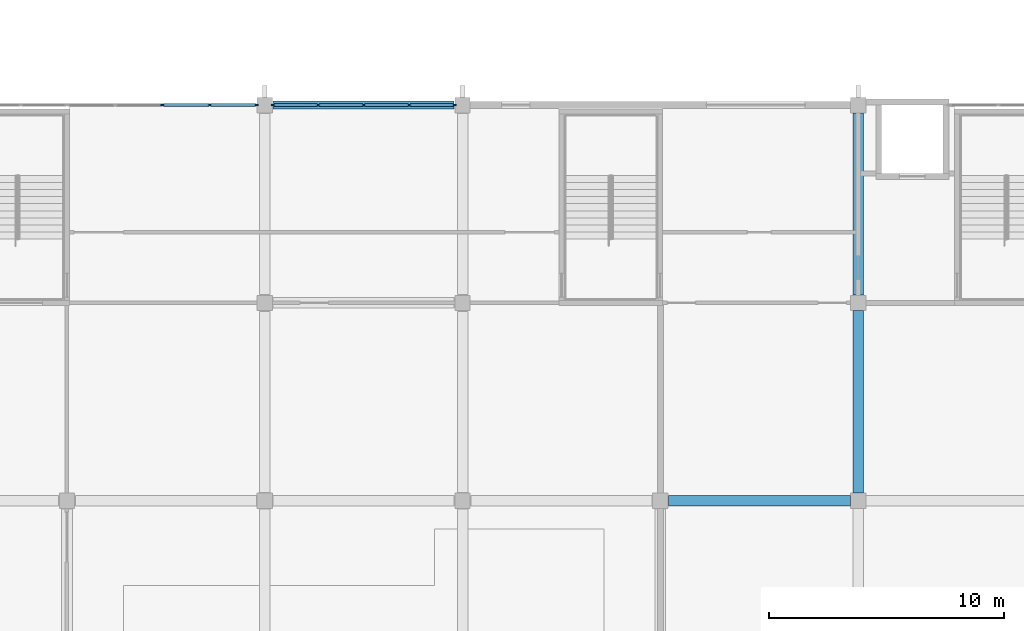
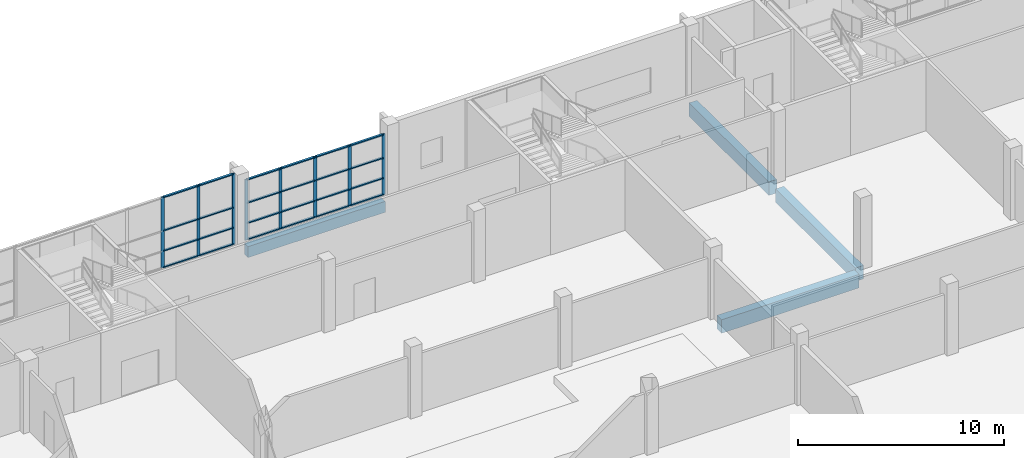
# One storey, part 5 of 64: 32 members, 4 beams, 2 elements without a shape of their own.
"""IFC4 building model written with IfcOpenShell, lengths in metres."""

from ifc_helpers import new_model, si_unit, direction, frame, origin, origin_2d, place, context, subcontext, project, spatial, rectangle, extrude, material, layer, layer_set, material_profile, profile_set, type_object, element, aggregate, save


model = new_model("IFC4")

# Units and contexts
model_context = context("Model", 3, precision=1e-05, world=origin(), true_north=direction((0.0, 1.0)))
body_context = subcontext(model_context, "Body", "Model", "MODEL_VIEW")
ifc_project = project(units=[si_unit("LENGTHUNIT", "METRE"), si_unit("AREAUNIT", "SQUARE_METRE"), si_unit("VOLUMEUNIT", "CUBIC_METRE"), si_unit("PLANEANGLEUNIT", "RADIAN"), si_unit("MASSUNIT", "GRAM", prefix="KILO")], contexts=[model_context])

# Site, building, storey
site_placement = place(None, origin())
site = spatial("IfcSite", under=ifc_project, at=site_placement, CompositionType="ELEMENT")
building_placement = place(site_placement, origin())
building = spatial("IfcBuilding", under=site, at=building_placement, Name="Rulbaag Community and Learning Centre", CompositionType="ELEMENT")
storey_placement = place(building_placement, frame((0.0, 0.0, 5.39990234375)))
storey = spatial("IfcBuildingStorey", under=building, at=storey_placement, Name="L01", CompositionType="ELEMENT", Elevation=5.39990234375)

# Beams
ifc_material_1 = material(Name="Concrete M40", Category="concrete")
ifc_material_profile_1 = material_profile(ifc_material_1, rectangle(XDim=0.449951171875, YDim=0.800048828125, at=origin_2d()), Name="RB450x800")
ifc_profile_set_1 = profile_set([ifc_material_profile_1], Name="Concrete M40")
beam_type_1 = type_object("IfcBeamType", Name="B21 Library floor beam 450x800 Concrete M40", PredefinedType="BEAM", material=ifc_profile_set_1)
beam_1_placement = place(storey_placement, frame((117.955078125, 33.60009765625, -0.699951171875), z_axis=(1.0, 0.0, 0.0), x_axis=(0.0, 1.0, 0.0)))
element("IfcBeam", 1, at=beam_1_placement, inside=storey, type_object=beam_type_1, Name="BM-L01-15E-16E", PredefinedType="BEAM", context=body_context, shape_type="SweptSolid", body=[
    extrude(rectangle(XDim=0.449951171875, YDim=0.800048828125, at=origin_2d()), origin(), (0.0, 0.0, 1.0), 7.71484375),
])
for number, where, z_axis, x_axis, name in (
    (2, (126.0, 33.929931640625, -0.699951171875), (0.0, 1.0, 0.0), (-1.0, 0.0, 0.0), "BM-L01-16E-16F"),
    (3, (126.0, 42.330078125, -0.699951171875), (0.0, 1.0, 0.0), (-1.0, 0.0, 0.0), "BM-L01-16F-16G"),
):
    element("IfcBeam", number, at=place(storey_placement, frame(where, z_axis=z_axis, x_axis=x_axis)), inside=storey, type_object=beam_type_1, Name=name, PredefinedType="BEAM", context=body_context, shape_type="SweptSolid", body=[
        extrude(rectangle(XDim=0.449951171875, YDim=0.800048828125, at=origin_2d()), origin(), (0.0, 0.0, 1.0), 7.739990234375),
    ])
ifc_material_profile_2 = material_profile(ifc_material_1, rectangle(XDim=0.35009765625, YDim=0.64990234375, at=origin_2d()), Name="RB350x650")
ifc_profile_set_2 = profile_set([ifc_material_profile_2], Name="Concrete M40")
beam_type_2 = type_object("IfcBeamType", Name="B8 Hall wing edge beam 350x650 Concrete M40", PredefinedType="BEAM", material=ifc_profile_set_2)
beam_2_placement = place(storey_placement, frame((101.155029296875, 50.39990234375, -0.625), z_axis=(1.0, 0.0, 0.0), x_axis=(0.0, 1.0, 0.0)))
element("IfcBeam", 4, at=beam_2_placement, inside=storey, type_object=beam_type_2, Name="BM-L01-13G-14G", PredefinedType="BEAM", context=body_context, shape_type="SweptSolid", body=[
    extrude(rectangle(XDim=0.35009765625, YDim=0.64990234375, at=origin_2d()), origin(), (0.0, 0.0, 1.0), 7.68994140625),
])

# Curtain wall, members
ifc_material_2 = material(Name="Aluminium", Category="aluminium")
ifc_layer = layer(ifc_material_2, 0.14990234375)
ifc_layer_set = layer_set([ifc_layer], Name="CW-L")
curtain_wall_type = type_object("IfcCurtainWallType", Name="CW-L", PredefinedType="USERDEFINED", material=ifc_layer_set)
curtain_wall_1_placement = place(storey_placement, origin())
curtain_wall_1 = element("IfcCurtainWall", 5, at=curtain_wall_1_placement, inside=storey, type_object=curtain_wall_type, Name="GL-L01-03", ObjectType="STICK CURTAIN WALL", PredefinedType="USERDEFINED")
ifc_material_3 = material(Name="Aluminium mullion", Category="aluminium")
ifc_material_profile_3 = material_profile(ifc_material_3, rectangle(XDim=0.06494140625, YDim=0.175048828125, at=origin_2d()), Name="AL 65x175")
ifc_profile_set_3 = profile_set([ifc_material_profile_3], Name="Aluminium mullion")
member_type_1 = type_object("IfcMemberType", Name="CW-L-MUL", PredefinedType="MULLION", material=ifc_profile_set_3)
member_1_placement = place(storey_placement, frame((96.46240234375, 50.39990234375, 0.0), z_axis=(0.0, 0.0, 1.0), x_axis=(0.0, 1.0, 0.0)))
member_1 = element("IfcMember", 6, at=member_1_placement, type_object=member_type_1, Name="GL mullion 7", PredefinedType="MULLION", context=body_context, shape_type="SweptSolid", body=[
    extrude(rectangle(XDim=0.06494140625, YDim=0.175048828125, at=origin_2d()), origin(), (0.0, 0.0, 1.0), 4.2001953125),
])
member_2_placement = place(storey_placement, frame((98.46875, 50.39990234375, 0.0), z_axis=(0.0, 0.0, 1.0), x_axis=(0.0, 1.0, 0.0)))
member_2 = element("IfcMember", 7, at=member_2_placement, type_object=member_type_1, Name="GL mullion 8", PredefinedType="MULLION", context=body_context, shape_type="SweptSolid", body=[
    extrude(rectangle(XDim=0.06494140625, YDim=0.175048828125, at=origin_2d()), origin(), (0.0, 0.0, 1.0), 4.2001953125),
])
member_3_placement = place(storey_placement, frame((100.4423828125, 50.39990234375, 0.0), z_axis=(0.0, 0.0, 1.0), x_axis=(0.0, 1.0, 0.0)))
member_3 = element("IfcMember", 8, at=member_3_placement, type_object=member_type_1, Name="GL mullion 9", PredefinedType="MULLION", context=body_context, shape_type="SweptSolid", body=[
    extrude(rectangle(XDim=0.06494140625, YDim=0.175048828125, at=origin_2d()), origin(), (0.0, 0.0, 1.0), 4.2001953125),
])

curtain_wall_2_placement = place(storey_placement, origin())
curtain_wall_2 = element("IfcCurtainWall", 9, at=curtain_wall_2_placement, inside=storey, type_object=curtain_wall_type, Name="GL-L01-04", ObjectType="STICK CURTAIN WALL", PredefinedType="USERDEFINED")
member_4_placement = place(storey_placement, frame((101.157470703125, 50.39990234375, 0.0), z_axis=(0.0, 0.0, 1.0), x_axis=(0.0, 1.0, 0.0)))
member_4 = element("IfcMember", 10, at=member_4_placement, type_object=member_type_1, Name="GL mullion 1", PredefinedType="MULLION", context=body_context, shape_type="SweptSolid", body=[
    extrude(rectangle(XDim=0.06494140625, YDim=0.175048828125, at=origin_2d()), origin(), (0.0, 0.0, 1.0), 3.60009765625),
])
member_5_placement = place(storey_placement, frame((103.0625, 50.39990234375, 0.0), z_axis=(0.0, 0.0, 1.0), x_axis=(0.0, 1.0, 0.0)))
member_5 = element("IfcMember", 11, at=member_5_placement, type_object=member_type_1, Name="GL mullion 2", PredefinedType="MULLION", context=body_context, shape_type="SweptSolid", body=[
    extrude(rectangle(XDim=0.06494140625, YDim=0.175048828125, at=origin_2d()), origin(), (0.0, 0.0, 1.0), 3.60009765625),
])
member_6_placement = place(storey_placement, frame((105.0, 50.39990234375, 0.0), z_axis=(0.0, 0.0, 1.0), x_axis=(0.0, 1.0, 0.0)))
member_6 = element("IfcMember", 12, at=member_6_placement, type_object=member_type_1, Name="GL mullion 3", PredefinedType="MULLION", context=body_context, shape_type="SweptSolid", body=[
    extrude(rectangle(XDim=0.06494140625, YDim=0.175048828125, at=origin_2d()), origin(), (0.0, 0.0, 1.0), 3.60009765625),
])
member_7_placement = place(storey_placement, frame((106.9375, 50.39990234375, 0.0), z_axis=(0.0, 0.0, 1.0), x_axis=(0.0, 1.0, 0.0)))
member_7 = element("IfcMember", 13, at=member_7_placement, type_object=member_type_1, Name="GL mullion 4", PredefinedType="MULLION", context=body_context, shape_type="SweptSolid", body=[
    extrude(rectangle(XDim=0.06494140625, YDim=0.175048828125, at=origin_2d()), origin(), (0.0, 0.0, 1.0), 3.60009765625),
])
member_8_placement = place(storey_placement, frame((108.842529296875, 50.39990234375, 0.0), z_axis=(0.0, 0.0, 1.0), x_axis=(0.0, 1.0, 0.0)))
member_8 = element("IfcMember", 14, at=member_8_placement, type_object=member_type_1, Name="GL mullion 5", PredefinedType="MULLION", context=body_context, shape_type="SweptSolid", body=[
    extrude(rectangle(XDim=0.06494140625, YDim=0.175048828125, at=origin_2d()), origin(), (0.0, 0.0, 1.0), 3.60009765625),
])

# Member
ifc_material_4 = material(Name="Aluminium transom", Category="aluminium")
ifc_material_profile_4 = material_profile(ifc_material_4, rectangle(XDim=0.125, YDim=0.06494140625, at=origin_2d()), Name="AL 65x125 T")
ifc_profile_set_4 = profile_set([ifc_material_profile_4], Name="Aluminium transom")
member_type_2 = type_object("IfcMemberType", Name="CW-L-TRN", PredefinedType="USERDEFINED", material=ifc_profile_set_4)
member_9_placement = place(storey_placement, frame((96.4951171875, 50.39990234375, 0.03271484375), z_axis=(1.0, 0.0, 0.0), x_axis=(0.0, 1.0, 0.0)))
member_9 = element("IfcMember", 15, at=member_9_placement, type_object=member_type_2, Name="GL transom 7.1", ObjectType="TRANSOM", PredefinedType="USERDEFINED", context=body_context, shape_type="SweptSolid", body=[
    extrude(rectangle(XDim=0.125, YDim=0.06494140625, at=origin_2d()), origin(), (0.0, 0.0, 1.0), 1.941162109375),
])

member_10_placement = place(storey_placement, frame((96.4951171875, 50.39990234375, 1.0), z_axis=(1.0, 0.0, 0.0), x_axis=(0.0, 1.0, 0.0)))
member_10 = element("IfcMember", 16, at=member_10_placement, type_object=member_type_2, Name="GL transom 7.2", ObjectType="TRANSOM", PredefinedType="USERDEFINED", context=body_context, shape_type="SweptSolid", body=[
    extrude(rectangle(XDim=0.125, YDim=0.06494140625, at=origin_2d()), origin(), (0.0, 0.0, 1.0), 1.941162109375),
])

member_11_placement = place(storey_placement, frame((96.4951171875, 50.39990234375, 2.2001953125), z_axis=(1.0, 0.0, 0.0), x_axis=(0.0, 1.0, 0.0)))
member_11 = element("IfcMember", 17, at=member_11_placement, type_object=member_type_2, Name="GL transom 7.3", ObjectType="TRANSOM", PredefinedType="USERDEFINED", context=body_context, shape_type="SweptSolid", body=[
    extrude(rectangle(XDim=0.125, YDim=0.06494140625, at=origin_2d()), origin(), (0.0, 0.0, 1.0), 1.941162109375),
])

member_12_placement = place(storey_placement, frame((96.4951171875, 50.39990234375, 4.16748046875), z_axis=(1.0, 0.0, 0.0), x_axis=(0.0, 1.0, 0.0)))
member_12 = element("IfcMember", 18, at=member_12_placement, type_object=member_type_2, Name="GL transom 7.4", ObjectType="TRANSOM", PredefinedType="USERDEFINED", context=body_context, shape_type="SweptSolid", body=[
    extrude(rectangle(XDim=0.125, YDim=0.06494140625, at=origin_2d()), origin(), (0.0, 0.0, 1.0), 1.941162109375),
])

member_13_placement = place(storey_placement, frame((98.501220703125, 50.39990234375, 0.03271484375), z_axis=(1.0, 0.0, 0.0), x_axis=(0.0, 1.0, 0.0)))
member_13 = element("IfcMember", 19, at=member_13_placement, type_object=member_type_2, Name="GL transom 8.1", ObjectType="TRANSOM", PredefinedType="USERDEFINED", context=body_context, shape_type="SweptSolid", body=[
    extrude(rectangle(XDim=0.125, YDim=0.06494140625, at=origin_2d()), origin(), (0.0, 0.0, 1.0), 1.90869140625),
])

member_14_placement = place(storey_placement, frame((98.501220703125, 50.39990234375, 1.0), z_axis=(1.0, 0.0, 0.0), x_axis=(0.0, 1.0, 0.0)))
member_14 = element("IfcMember", 20, at=member_14_placement, type_object=member_type_2, Name="GL transom 8.2", ObjectType="TRANSOM", PredefinedType="USERDEFINED", context=body_context, shape_type="SweptSolid", body=[
    extrude(rectangle(XDim=0.125, YDim=0.06494140625, at=origin_2d()), origin(), (0.0, 0.0, 1.0), 1.90869140625),
])

member_15_placement = place(storey_placement, frame((98.501220703125, 50.39990234375, 2.2001953125), z_axis=(1.0, 0.0, 0.0), x_axis=(0.0, 1.0, 0.0)))
member_15 = element("IfcMember", 21, at=member_15_placement, type_object=member_type_2, Name="GL transom 8.3", ObjectType="TRANSOM", PredefinedType="USERDEFINED", context=body_context, shape_type="SweptSolid", body=[
    extrude(rectangle(XDim=0.125, YDim=0.06494140625, at=origin_2d()), origin(), (0.0, 0.0, 1.0), 1.90869140625),
])

member_16_placement = place(storey_placement, frame((98.501220703125, 50.39990234375, 4.16748046875), z_axis=(1.0, 0.0, 0.0), x_axis=(0.0, 1.0, 0.0)))
member_16 = element("IfcMember", 22, at=member_16_placement, type_object=member_type_2, Name="GL transom 8.4", ObjectType="TRANSOM", PredefinedType="USERDEFINED", context=body_context, shape_type="SweptSolid", body=[
    extrude(rectangle(XDim=0.125, YDim=0.06494140625, at=origin_2d()), origin(), (0.0, 0.0, 1.0), 1.90869140625),
])

aggregate(curtain_wall_1, [member_1, member_2, member_3, member_9, member_10, member_11, member_12, member_13, member_14, member_15, member_16])

member_17_placement = place(storey_placement, frame((101.18994140625, 50.39990234375, 0.03271484375), z_axis=(1.0, 0.0, 0.0), x_axis=(0.0, 1.0, 0.0)))
member_17 = element("IfcMember", 23, at=member_17_placement, type_object=member_type_2, Name="GL transom 1.1", ObjectType="TRANSOM", PredefinedType="USERDEFINED", context=body_context, shape_type="SweptSolid", body=[
    extrude(rectangle(XDim=0.125, YDim=0.06494140625, at=origin_2d()), origin(), (0.0, 0.0, 1.0), 1.840087890625),
])

member_18_placement = place(storey_placement, frame((101.18994140625, 50.39990234375, 1.0), z_axis=(1.0, 0.0, 0.0), x_axis=(0.0, 1.0, 0.0)))
member_18 = element("IfcMember", 24, at=member_18_placement, type_object=member_type_2, Name="GL transom 1.2", ObjectType="TRANSOM", PredefinedType="USERDEFINED", context=body_context, shape_type="SweptSolid", body=[
    extrude(rectangle(XDim=0.125, YDim=0.06494140625, at=origin_2d()), origin(), (0.0, 0.0, 1.0), 1.840087890625),
])

member_19_placement = place(storey_placement, frame((101.18994140625, 50.39990234375, 2.2001953125), z_axis=(1.0, 0.0, 0.0), x_axis=(0.0, 1.0, 0.0)))
member_19 = element("IfcMember", 25, at=member_19_placement, type_object=member_type_2, Name="GL transom 1.3", ObjectType="TRANSOM", PredefinedType="USERDEFINED", context=body_context, shape_type="SweptSolid", body=[
    extrude(rectangle(XDim=0.125, YDim=0.06494140625, at=origin_2d()), origin(), (0.0, 0.0, 1.0), 1.840087890625),
])

member_20_placement = place(storey_placement, frame((101.18994140625, 50.39990234375, 3.567626953125), z_axis=(1.0, 0.0, 0.0), x_axis=(0.0, 1.0, 0.0)))
member_20 = element("IfcMember", 26, at=member_20_placement, type_object=member_type_2, Name="GL transom 1.4", ObjectType="TRANSOM", PredefinedType="USERDEFINED", context=body_context, shape_type="SweptSolid", body=[
    extrude(rectangle(XDim=0.125, YDim=0.06494140625, at=origin_2d()), origin(), (0.0, 0.0, 1.0), 1.840087890625),
])

member_21_placement = place(storey_placement, frame((103.094970703125, 50.39990234375, 0.03271484375), z_axis=(1.0, 0.0, 0.0), x_axis=(0.0, 1.0, 0.0)))
member_21 = element("IfcMember", 27, at=member_21_placement, type_object=member_type_2, Name="GL transom 2.1", ObjectType="TRANSOM", PredefinedType="USERDEFINED", context=body_context, shape_type="SweptSolid", body=[
    extrude(rectangle(XDim=0.125, YDim=0.06494140625, at=origin_2d()), origin(), (0.0, 0.0, 1.0), 1.87255859375),
])

member_22_placement = place(storey_placement, frame((103.094970703125, 50.39990234375, 1.0), z_axis=(1.0, 0.0, 0.0), x_axis=(0.0, 1.0, 0.0)))
member_22 = element("IfcMember", 28, at=member_22_placement, type_object=member_type_2, Name="GL transom 2.2", ObjectType="TRANSOM", PredefinedType="USERDEFINED", context=body_context, shape_type="SweptSolid", body=[
    extrude(rectangle(XDim=0.125, YDim=0.06494140625, at=origin_2d()), origin(), (0.0, 0.0, 1.0), 1.87255859375),
])

member_23_placement = place(storey_placement, frame((103.094970703125, 50.39990234375, 2.2001953125), z_axis=(1.0, 0.0, 0.0), x_axis=(0.0, 1.0, 0.0)))
member_23 = element("IfcMember", 29, at=member_23_placement, type_object=member_type_2, Name="GL transom 2.3", ObjectType="TRANSOM", PredefinedType="USERDEFINED", context=body_context, shape_type="SweptSolid", body=[
    extrude(rectangle(XDim=0.125, YDim=0.06494140625, at=origin_2d()), origin(), (0.0, 0.0, 1.0), 1.87255859375),
])

member_24_placement = place(storey_placement, frame((103.094970703125, 50.39990234375, 3.567626953125), z_axis=(1.0, 0.0, 0.0), x_axis=(0.0, 1.0, 0.0)))
member_24 = element("IfcMember", 30, at=member_24_placement, type_object=member_type_2, Name="GL transom 2.4", ObjectType="TRANSOM", PredefinedType="USERDEFINED", context=body_context, shape_type="SweptSolid", body=[
    extrude(rectangle(XDim=0.125, YDim=0.06494140625, at=origin_2d()), origin(), (0.0, 0.0, 1.0), 1.87255859375),
])

member_25_placement = place(storey_placement, frame((105.032470703125, 50.39990234375, 0.03271484375), z_axis=(1.0, 0.0, 0.0), x_axis=(0.0, 1.0, 0.0)))
member_25 = element("IfcMember", 31, at=member_25_placement, type_object=member_type_2, Name="GL transom 3.1", ObjectType="TRANSOM", PredefinedType="USERDEFINED", context=body_context, shape_type="SweptSolid", body=[
    extrude(rectangle(XDim=0.125, YDim=0.06494140625, at=origin_2d()), origin(), (0.0, 0.0, 1.0), 1.87255859375),
])

member_26_placement = place(storey_placement, frame((105.032470703125, 50.39990234375, 1.0), z_axis=(1.0, 0.0, 0.0), x_axis=(0.0, 1.0, 0.0)))
member_26 = element("IfcMember", 32, at=member_26_placement, type_object=member_type_2, Name="GL transom 3.2", ObjectType="TRANSOM", PredefinedType="USERDEFINED", context=body_context, shape_type="SweptSolid", body=[
    extrude(rectangle(XDim=0.125, YDim=0.06494140625, at=origin_2d()), origin(), (0.0, 0.0, 1.0), 1.87255859375),
])

member_27_placement = place(storey_placement, frame((105.032470703125, 50.39990234375, 2.2001953125), z_axis=(1.0, 0.0, 0.0), x_axis=(0.0, 1.0, 0.0)))
member_27 = element("IfcMember", 33, at=member_27_placement, type_object=member_type_2, Name="GL transom 3.3", ObjectType="TRANSOM", PredefinedType="USERDEFINED", context=body_context, shape_type="SweptSolid", body=[
    extrude(rectangle(XDim=0.125, YDim=0.06494140625, at=origin_2d()), origin(), (0.0, 0.0, 1.0), 1.87255859375),
])

member_28_placement = place(storey_placement, frame((105.032470703125, 50.39990234375, 3.567626953125), z_axis=(1.0, 0.0, 0.0), x_axis=(0.0, 1.0, 0.0)))
member_28 = element("IfcMember", 34, at=member_28_placement, type_object=member_type_2, Name="GL transom 3.4", ObjectType="TRANSOM", PredefinedType="USERDEFINED", context=body_context, shape_type="SweptSolid", body=[
    extrude(rectangle(XDim=0.125, YDim=0.06494140625, at=origin_2d()), origin(), (0.0, 0.0, 1.0), 1.87255859375),
])

member_29_placement = place(storey_placement, frame((106.969970703125, 50.39990234375, 0.03271484375), z_axis=(1.0, 0.0, 0.0), x_axis=(0.0, 1.0, 0.0)))
member_29 = element("IfcMember", 35, at=member_29_placement, type_object=member_type_2, Name="GL transom 4.1", ObjectType="TRANSOM", PredefinedType="USERDEFINED", context=body_context, shape_type="SweptSolid", body=[
    extrude(rectangle(XDim=0.125, YDim=0.06494140625, at=origin_2d()), origin(), (0.0, 0.0, 1.0), 1.840087890625),
])

member_30_placement = place(storey_placement, frame((106.969970703125, 50.39990234375, 1.0), z_axis=(1.0, 0.0, 0.0), x_axis=(0.0, 1.0, 0.0)))
member_30 = element("IfcMember", 36, at=member_30_placement, type_object=member_type_2, Name="GL transom 4.2", ObjectType="TRANSOM", PredefinedType="USERDEFINED", context=body_context, shape_type="SweptSolid", body=[
    extrude(rectangle(XDim=0.125, YDim=0.06494140625, at=origin_2d()), origin(), (0.0, 0.0, 1.0), 1.840087890625),
])

member_31_placement = place(storey_placement, frame((106.969970703125, 50.39990234375, 2.2001953125), z_axis=(1.0, 0.0, 0.0), x_axis=(0.0, 1.0, 0.0)))
member_31 = element("IfcMember", 37, at=member_31_placement, type_object=member_type_2, Name="GL transom 4.3", ObjectType="TRANSOM", PredefinedType="USERDEFINED", context=body_context, shape_type="SweptSolid", body=[
    extrude(rectangle(XDim=0.125, YDim=0.06494140625, at=origin_2d()), origin(), (0.0, 0.0, 1.0), 1.840087890625),
])

member_32_placement = place(storey_placement, frame((106.969970703125, 50.39990234375, 3.567626953125), z_axis=(1.0, 0.0, 0.0), x_axis=(0.0, 1.0, 0.0)))
member_32 = element("IfcMember", 38, at=member_32_placement, type_object=member_type_2, Name="GL transom 4.4", ObjectType="TRANSOM", PredefinedType="USERDEFINED", context=body_context, shape_type="SweptSolid", body=[
    extrude(rectangle(XDim=0.125, YDim=0.06494140625, at=origin_2d()), origin(), (0.0, 0.0, 1.0), 1.840087890625),
])

aggregate(curtain_wall_2, [member_4, member_5, member_6, member_7, member_8, member_17, member_18, member_19, member_20, member_21, member_22, member_23, member_24, member_25, member_26, member_27, member_28, member_29, member_30, member_31, member_32])

save(model, "model.ifc")
